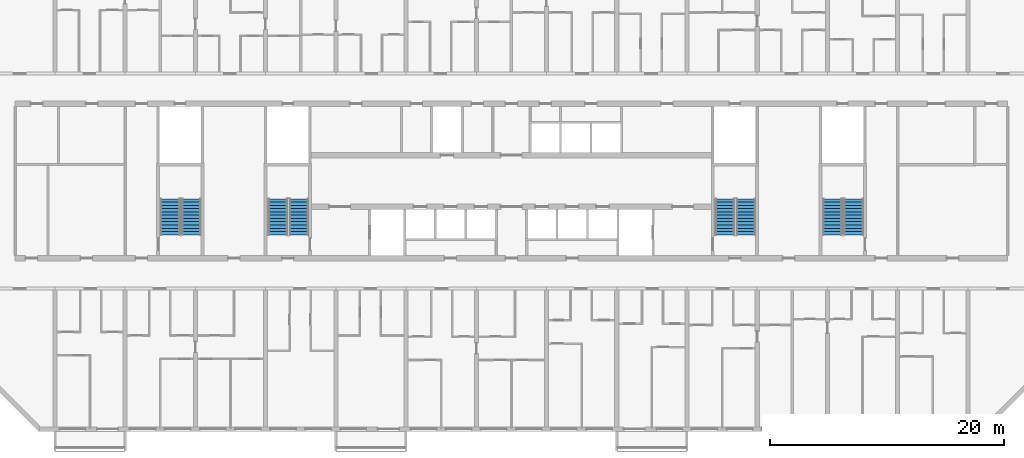
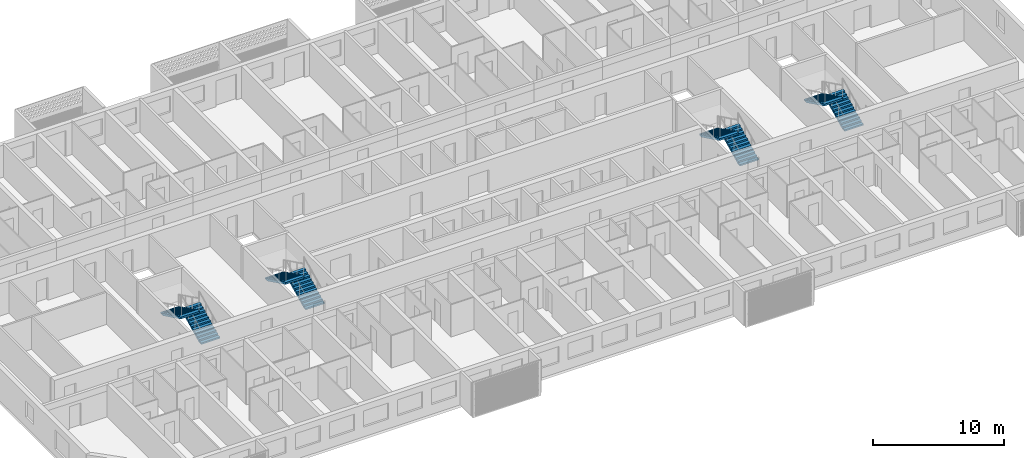
# One storey, part 15 of 24: 8 stair flights, 4 elements without a shape of their own.
"""IFC4 building model written with IfcOpenShell, lengths in metres."""

from ifc_helpers import new_model, si_unit, direction, frame, origin, place, context, subcontext, project, spatial, polyline, outline, extrude, material, layer, layer_set, type_object, element, aggregate, save


model = new_model("IFC4")

# Units and contexts
model_context = context("Model", 3, precision=1e-05, world=origin(), true_north=direction((0.0, 1.0)))
body_context = subcontext(model_context, "Body", "Model", "MODEL_VIEW")
ifc_project = project(units=[si_unit("LENGTHUNIT", "METRE"), si_unit("AREAUNIT", "SQUARE_METRE"), si_unit("VOLUMEUNIT", "CUBIC_METRE"), si_unit("PLANEANGLEUNIT", "RADIAN"), si_unit("MASSUNIT", "GRAM", prefix="KILO")], contexts=[model_context])

# Site, building, storey
site_placement = place(None, origin())
site = spatial("IfcSite", under=ifc_project, at=site_placement, CompositionType="ELEMENT")
building_placement = place(site_placement, origin())
building = spatial("IfcBuilding", under=site, at=building_placement, Name="Poui Terraces", CompositionType="ELEMENT")
storey_placement = place(building_placement, frame((0.0, 0.0, 102.60009765625)))
storey = spatial("IfcBuildingStorey", under=building, at=storey_placement, Name="L28", CompositionType="ELEMENT", Elevation=102.60009765625)

# Stair, stair flights
ifc_material = material(Name="Concrete 65 MPa", Category="concrete")
stair_type = type_object("IfcStairType", Name="EXIT STAIR 1650 65 MPA", PredefinedType="HALF_TURN_STAIR", material=ifc_material)
stair_1_placement = place(storey_placement, origin())
stair_1 = element("IfcStair", 1, at=stair_1_placement, inside=storey, type_object=stair_type, Name="L28 CORE STAIR EAST", PredefinedType="HALF_TURN_STAIR")
ifc_layer = layer(ifc_material, 0.14990234375)
ifc_layer_set = layer_set([ifc_layer], Name="Concrete 65 MPa")
stair_flight_type = type_object("IfcStairFlightType", Name="STAIR FLIGHT 12 RISERS 138 RISE 65 MPA", PredefinedType="STRAIGHT", material=ifc_layer_set)
stair_flight_1_placement = place(storey_placement, frame((71.050048828125, 16.60009765625, 0.0), z_axis=(0.0, 0.0, 1.0), x_axis=(0.0, 1.0, 0.0)))
stair_flight_1 = element("IfcStairFlight", 2, at=stair_flight_1_placement, type_object=stair_flight_type, Name="ST-CE flight 1", NumberOfRisers=12, NumberOfTreads=11, PredefinedType="STRAIGHT", RiserHeight=0.1375, TreadLength=0.28, context=body_context, shape_type="SweptSolid", body=[
    extrude(outline(polyline([(0.0, 0.0), (0.0, 0.137451171875), (0.280029296875, 0.137451171875), (0.280029296875, 0.27490234375), (0.56005859375, 0.27490234375), (0.56005859375, 0.41259765625), (0.840087890625, 0.41259765625), (0.840087890625, 0.550048828125), (1.1201171875, 0.550048828125), (1.1201171875, 0.6875), (1.39990234375, 0.6875), (1.39990234375, 0.824951171875), (1.679931640625, 0.824951171875), (1.679931640625, 0.96240234375), (1.9599609375, 0.96240234375), (1.9599609375, 1.10009765625), (2.239990234375, 1.10009765625), (2.239990234375, 1.237548828125), (2.52001953125, 1.237548828125), (2.52001953125, 1.375), (2.800048828125, 1.375), (2.800048828125, 1.512451171875), (3.080078125, 1.512451171875), (3.080078125, 1.64990234375), (3.080078125, 1.345458984375), (0.340087890625, 0.0), (0.0, 0.0)])), frame((0.0, 0.824951171875, 0.0), z_axis=(0.0, -1.0, 0.0), x_axis=(1.0, 0.0, 0.0)), (0.0, 0.0, 1.0), 1.64990234375),
])
stair_flight_2_placement = place(storey_placement, frame((69.25, 19.679931640625, 1.64990234375), z_axis=(0.0, 0.0, 1.0), x_axis=(0.0, -1.0, 0.0)))
stair_flight_2 = element("IfcStairFlight", 3, at=stair_flight_2_placement, type_object=stair_flight_type, Name="ST-CE flight 2", NumberOfRisers=12, NumberOfTreads=11, PredefinedType="STRAIGHT", RiserHeight=0.1375, TreadLength=0.28, context=body_context, shape_type="SweptSolid", body=[
    extrude(outline(polyline([(0.0, 0.0), (0.0, 0.137451171875), (0.280029296875, 0.137451171875), (0.280029296875, 0.27490234375), (0.56005859375, 0.27490234375), (0.56005859375, 0.41259765625), (0.840087890625, 0.41259765625), (0.840087890625, 0.550048828125), (1.1201171875, 0.550048828125), (1.1201171875, 0.6875), (1.39990234375, 0.6875), (1.39990234375, 0.824951171875), (1.679931640625, 0.824951171875), (1.679931640625, 0.96240234375), (1.9599609375, 0.96240234375), (1.9599609375, 1.10009765625), (2.239990234375, 1.10009765625), (2.239990234375, 1.237548828125), (2.52001953125, 1.237548828125), (2.52001953125, 1.375), (2.800048828125, 1.375), (2.800048828125, 1.512451171875), (3.080078125, 1.512451171875), (3.080078125, 1.64990234375), (3.080078125, 1.345458984375), (0.340087890625, 0.0), (0.0, 0.0)])), frame((0.0, 0.824951171875, 0.0), z_axis=(0.0, -1.0, 0.0), x_axis=(1.0, 0.0, 0.0)), (0.0, 0.0, 1.0), 1.64990234375),
])
aggregate(stair_1, [stair_flight_1, stair_flight_2])

stair_2_placement = place(storey_placement, origin())
stair_2 = element("IfcStair", 4, at=stair_2_placement, inside=storey, type_object=stair_type, Name="L28 CORE STAIR WEST", PredefinedType="HALF_TURN_STAIR")
stair_flight_3_placement = place(storey_placement, frame((32.85009765625, 16.60009765625, 0.0), z_axis=(0.0, 0.0, 1.0), x_axis=(0.0, 1.0, 0.0)))
stair_flight_3 = element("IfcStairFlight", 5, at=stair_flight_3_placement, type_object=stair_flight_type, Name="ST-CW flight 1", NumberOfRisers=12, NumberOfTreads=11, PredefinedType="STRAIGHT", RiserHeight=0.1375, TreadLength=0.28, context=body_context, shape_type="SweptSolid", body=[
    extrude(outline(polyline([(0.0, 0.0), (0.0, 0.137451171875), (0.280029296875, 0.137451171875), (0.280029296875, 0.27490234375), (0.56005859375, 0.27490234375), (0.56005859375, 0.41259765625), (0.840087890625, 0.41259765625), (0.840087890625, 0.550048828125), (1.1201171875, 0.550048828125), (1.1201171875, 0.6875), (1.39990234375, 0.6875), (1.39990234375, 0.824951171875), (1.679931640625, 0.824951171875), (1.679931640625, 0.96240234375), (1.9599609375, 0.96240234375), (1.9599609375, 1.10009765625), (2.239990234375, 1.10009765625), (2.239990234375, 1.237548828125), (2.52001953125, 1.237548828125), (2.52001953125, 1.375), (2.800048828125, 1.375), (2.800048828125, 1.512451171875), (3.080078125, 1.512451171875), (3.080078125, 1.64990234375), (3.080078125, 1.345458984375), (0.340087890625, 0.0), (0.0, 0.0)])), frame((0.0, 0.824951171875, 0.0), z_axis=(0.0, -1.0, 0.0), x_axis=(1.0, 0.0, 0.0)), (0.0, 0.0, 1.0), 1.64990234375),
])
stair_flight_4_placement = place(storey_placement, frame((31.050048828125, 19.679931640625, 1.64990234375), z_axis=(0.0, 0.0, 1.0), x_axis=(0.0, -1.0, 0.0)))
stair_flight_4 = element("IfcStairFlight", 6, at=stair_flight_4_placement, type_object=stair_flight_type, Name="ST-CW flight 2", NumberOfRisers=12, NumberOfTreads=11, PredefinedType="STRAIGHT", RiserHeight=0.1375, TreadLength=0.28, context=body_context, shape_type="SweptSolid", body=[
    extrude(outline(polyline([(0.0, 0.0), (0.0, 0.137451171875), (0.280029296875, 0.137451171875), (0.280029296875, 0.27490234375), (0.56005859375, 0.27490234375), (0.56005859375, 0.41259765625), (0.840087890625, 0.41259765625), (0.840087890625, 0.550048828125), (1.1201171875, 0.550048828125), (1.1201171875, 0.6875), (1.39990234375, 0.6875), (1.39990234375, 0.824951171875), (1.679931640625, 0.824951171875), (1.679931640625, 0.96240234375), (1.9599609375, 0.96240234375), (1.9599609375, 1.10009765625), (2.239990234375, 1.10009765625), (2.239990234375, 1.237548828125), (2.52001953125, 1.237548828125), (2.52001953125, 1.375), (2.800048828125, 1.375), (2.800048828125, 1.512451171875), (3.080078125, 1.512451171875), (3.080078125, 1.64990234375), (3.080078125, 1.345458984375), (0.340087890625, 0.0), (0.0, 0.0)])), frame((0.0, 0.824951171875, 0.0), z_axis=(0.0, -1.0, 0.0), x_axis=(1.0, 0.0, 0.0)), (0.0, 0.0, 1.0), 1.64990234375),
])
aggregate(stair_2, [stair_flight_3, stair_flight_4])

stair_3_placement = place(storey_placement, origin())
stair_3 = element("IfcStair", 7, at=stair_3_placement, inside=storey, type_object=stair_type, Name="L28 TIP STAIR EAST", PredefinedType="HALF_TURN_STAIR")
stair_flight_5_placement = place(storey_placement, frame((80.25, 16.60009765625, 0.0), z_axis=(0.0, 0.0, 1.0), x_axis=(0.0, 1.0, 0.0)))
stair_flight_5 = element("IfcStairFlight", 8, at=stair_flight_5_placement, type_object=stair_flight_type, Name="ST-E flight 1", NumberOfRisers=12, NumberOfTreads=11, PredefinedType="STRAIGHT", RiserHeight=0.1375, TreadLength=0.28, context=body_context, shape_type="SweptSolid", body=[
    extrude(outline(polyline([(0.0, 0.0), (0.0, 0.137451171875), (0.280029296875, 0.137451171875), (0.280029296875, 0.27490234375), (0.56005859375, 0.27490234375), (0.56005859375, 0.41259765625), (0.840087890625, 0.41259765625), (0.840087890625, 0.550048828125), (1.1201171875, 0.550048828125), (1.1201171875, 0.6875), (1.39990234375, 0.6875), (1.39990234375, 0.824951171875), (1.679931640625, 0.824951171875), (1.679931640625, 0.96240234375), (1.9599609375, 0.96240234375), (1.9599609375, 1.10009765625), (2.239990234375, 1.10009765625), (2.239990234375, 1.237548828125), (2.52001953125, 1.237548828125), (2.52001953125, 1.375), (2.800048828125, 1.375), (2.800048828125, 1.512451171875), (3.080078125, 1.512451171875), (3.080078125, 1.64990234375), (3.080078125, 1.345458984375), (0.340087890625, 0.0), (0.0, 0.0)])), frame((0.0, 0.824951171875, 0.0), z_axis=(0.0, -1.0, 0.0), x_axis=(1.0, 0.0, 0.0)), (0.0, 0.0, 1.0), 1.64990234375),
])
stair_flight_6_placement = place(storey_placement, frame((78.449951171875, 19.679931640625, 1.64990234375), z_axis=(0.0, 0.0, 1.0), x_axis=(0.0, -1.0, 0.0)))
stair_flight_6 = element("IfcStairFlight", 9, at=stair_flight_6_placement, type_object=stair_flight_type, Name="ST-E flight 2", NumberOfRisers=12, NumberOfTreads=11, PredefinedType="STRAIGHT", RiserHeight=0.1375, TreadLength=0.28, context=body_context, shape_type="SweptSolid", body=[
    extrude(outline(polyline([(0.0, 0.0), (0.0, 0.137451171875), (0.280029296875, 0.137451171875), (0.280029296875, 0.27490234375), (0.56005859375, 0.27490234375), (0.56005859375, 0.41259765625), (0.840087890625, 0.41259765625), (0.840087890625, 0.550048828125), (1.1201171875, 0.550048828125), (1.1201171875, 0.6875), (1.39990234375, 0.6875), (1.39990234375, 0.824951171875), (1.679931640625, 0.824951171875), (1.679931640625, 0.96240234375), (1.9599609375, 0.96240234375), (1.9599609375, 1.10009765625), (2.239990234375, 1.10009765625), (2.239990234375, 1.237548828125), (2.52001953125, 1.237548828125), (2.52001953125, 1.375), (2.800048828125, 1.375), (2.800048828125, 1.512451171875), (3.080078125, 1.512451171875), (3.080078125, 1.64990234375), (3.080078125, 1.345458984375), (0.340087890625, 0.0), (0.0, 0.0)])), frame((0.0, 0.824951171875, 0.0), z_axis=(0.0, -1.0, 0.0), x_axis=(1.0, 0.0, 0.0)), (0.0, 0.0, 1.0), 1.64990234375),
])
aggregate(stair_3, [stair_flight_5, stair_flight_6])

stair_4_placement = place(storey_placement, origin())
stair_4 = element("IfcStair", 10, at=stair_4_placement, inside=storey, type_object=stair_type, Name="L28 TIP STAIR WEST", PredefinedType="HALF_TURN_STAIR")
stair_flight_7_placement = place(storey_placement, frame((23.64990234375, 16.60009765625, 0.0), z_axis=(0.0, 0.0, 1.0), x_axis=(0.0, 1.0, 0.0)))
stair_flight_7 = element("IfcStairFlight", 11, at=stair_flight_7_placement, type_object=stair_flight_type, Name="ST-W flight 1", NumberOfRisers=12, NumberOfTreads=11, PredefinedType="STRAIGHT", RiserHeight=0.1375, TreadLength=0.28, context=body_context, shape_type="SweptSolid", body=[
    extrude(outline(polyline([(0.0, 0.0), (0.0, 0.137451171875), (0.280029296875, 0.137451171875), (0.280029296875, 0.27490234375), (0.56005859375, 0.27490234375), (0.56005859375, 0.41259765625), (0.840087890625, 0.41259765625), (0.840087890625, 0.550048828125), (1.1201171875, 0.550048828125), (1.1201171875, 0.6875), (1.39990234375, 0.6875), (1.39990234375, 0.824951171875), (1.679931640625, 0.824951171875), (1.679931640625, 0.96240234375), (1.9599609375, 0.96240234375), (1.9599609375, 1.10009765625), (2.239990234375, 1.10009765625), (2.239990234375, 1.237548828125), (2.52001953125, 1.237548828125), (2.52001953125, 1.375), (2.800048828125, 1.375), (2.800048828125, 1.512451171875), (3.080078125, 1.512451171875), (3.080078125, 1.64990234375), (3.080078125, 1.345458984375), (0.340087890625, 0.0), (0.0, 0.0)])), frame((0.0, 0.824951171875, 0.0), z_axis=(0.0, -1.0, 0.0), x_axis=(1.0, 0.0, 0.0)), (0.0, 0.0, 1.0), 1.64990234375),
])
stair_flight_8_placement = place(storey_placement, frame((21.85009765625, 19.679931640625, 1.64990234375), z_axis=(0.0, 0.0, 1.0), x_axis=(0.0, -1.0, 0.0)))
stair_flight_8 = element("IfcStairFlight", 12, at=stair_flight_8_placement, type_object=stair_flight_type, Name="ST-W flight 2", NumberOfRisers=12, NumberOfTreads=11, PredefinedType="STRAIGHT", RiserHeight=0.1375, TreadLength=0.28, context=body_context, shape_type="SweptSolid", body=[
    extrude(outline(polyline([(0.0, 0.0), (0.0, 0.137451171875), (0.280029296875, 0.137451171875), (0.280029296875, 0.27490234375), (0.56005859375, 0.27490234375), (0.56005859375, 0.41259765625), (0.840087890625, 0.41259765625), (0.840087890625, 0.550048828125), (1.1201171875, 0.550048828125), (1.1201171875, 0.6875), (1.39990234375, 0.6875), (1.39990234375, 0.824951171875), (1.679931640625, 0.824951171875), (1.679931640625, 0.96240234375), (1.9599609375, 0.96240234375), (1.9599609375, 1.10009765625), (2.239990234375, 1.10009765625), (2.239990234375, 1.237548828125), (2.52001953125, 1.237548828125), (2.52001953125, 1.375), (2.800048828125, 1.375), (2.800048828125, 1.512451171875), (3.080078125, 1.512451171875), (3.080078125, 1.64990234375), (3.080078125, 1.345458984375), (0.340087890625, 0.0), (0.0, 0.0)])), frame((0.0, 0.824951171875, 0.0), z_axis=(0.0, -1.0, 0.0), x_axis=(1.0, 0.0, 0.0)), (0.0, 0.0, 1.0), 1.64990234375),
])
aggregate(stair_4, [stair_flight_7, stair_flight_8])

save(model, "model.ifc")
